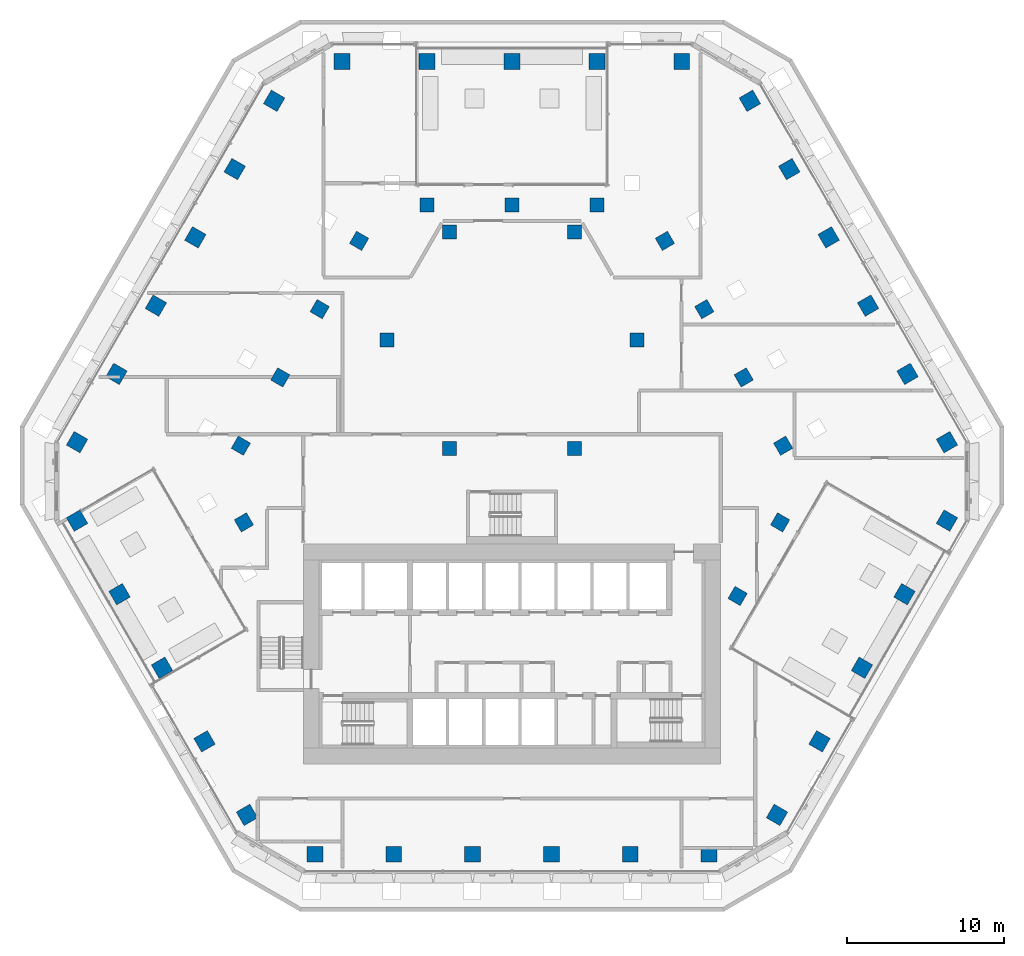
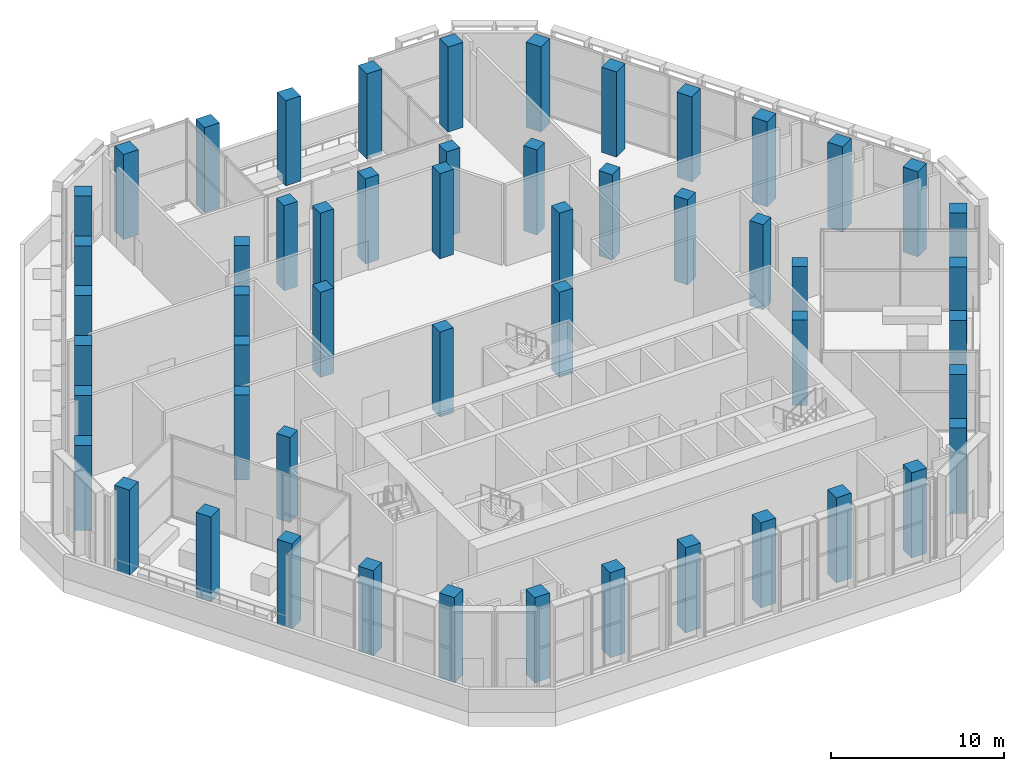
# One storey, part 1 of 23: 53 columns.
"""IFC4 building model written with IfcOpenShell, lengths in metres."""

from ifc_helpers import new_model, si_unit, direction, frame, origin, origin_2d, place, context, subcontext, project, spatial, rectangle, extrude, material, material_profile, profile_set, type_object, element, save


model = new_model("IFC4")

# Units and contexts
model_context = context("Model", 3, precision=1e-05, world=origin(), true_north=direction((0.0, 1.0)))
body_context = subcontext(model_context, "Body", "Model", "MODEL_VIEW")
ifc_project = project(units=[si_unit("LENGTHUNIT", "METRE"), si_unit("AREAUNIT", "SQUARE_METRE"), si_unit("VOLUMEUNIT", "CUBIC_METRE"), si_unit("PLANEANGLEUNIT", "RADIAN"), si_unit("MASSUNIT", "GRAM", prefix="KILO")], contexts=[model_context])

# Site, building, storey
site_placement = place(None, origin())
site = spatial("IfcSite", under=ifc_project, at=site_placement, CompositionType="ELEMENT")
building_placement = place(site_placement, origin())
building = spatial("IfcBuilding", under=site, at=building_placement, Name="Beryl Residences", CompositionType="ELEMENT")
storey_placement = place(building_placement, frame((0.0, 0.0, 66.0)))
storey = spatial("IfcBuildingStorey", under=building, at=storey_placement, Name="L20", CompositionType="ELEMENT", Elevation=66.0)

# Columns
ifc_material_1 = material(Name="Concrete C70/85", Category="concrete")
ifc_material_profile_1 = material_profile(ifc_material_1, rectangle(XDim=1.0, YDim=1.0, at=origin_2d()))
ifc_profile_set_1 = profile_set([ifc_material_profile_1], Name="Concrete C70/85")
column_type_1 = type_object("IfcColumnType", Name="C2 tube column 1000 x 1000 C70/85", PredefinedType="COLUMN", material=ifc_profile_set_1)
for number, where, z_axis, x_axis, name in (
    (1, (10.824951171875, 25.75, 0.0), (0.0, 0.0, 1.0), (-1.0, 0.0, 0.0), "C2-N1 L20"),
    (2, (5.412109375, 25.75, 0.0), (0.0, 0.0, 1.0), (-1.0, 0.0, 0.0), "C2-N2 L20"),
    (3, (-0.0009765625, 25.75, 0.0), (0.0, 0.0, 1.0), (-1.0, 0.0, 0.0), "C2-N3 L20"),
    (4, (-5.4140625, 25.75, 0.0), (0.0, 0.0, 1.0), (-1.0, 0.0, 0.0), "C2-N4 L20"),
    (5, (-10.826904296875, 25.75, 0.0), (0.0, 0.0, 1.0), (-1.0, 0.0, 0.0), "C2-N5 L20"),
    (6, (-15.155029296875, 23.2509765625, 0.0), (0.0, 0.0, 1.0), (-0.5, -0.866025403784, 0.0), "C2-NW1 L20"),
    (7, (-17.6669921875, 18.89990234375, 0.0), (0.0, 0.0, 1.0), (-0.5, -0.866025403784, 0.0), "C2-NW2 L20"),
    (8, (-20.177978515625, 14.550048828125, 0.0), (0.0, 0.0, 1.0), (-0.5, -0.866025403784, 0.0), "C2-NW3 L20"),
    (9, (-22.68994140625, 10.199951171875, 0.0), (0.0, 0.0, 1.0), (-0.5, -0.866025403784, 0.0), "C2-NW4 L20"),
    (10, (-25.201904296875, 5.85009765625, 0.0), (0.0, 0.0, 1.0), (-0.5, -0.866025403784, 0.0), "C2-NW5 L20"),
    (11, (-27.712890625, 1.5, 0.0), (0.0, 0.0, 1.0), (-0.5, -0.866025403784, 0.0), "C2-NW6 L20"),
    (12, (-27.714111328125, -3.4990234375, 0.0), (0.0, 0.0, 1.0), (0.5, -0.866025403784, 0.0), "C2-SW1 L20"),
    (13, (-25.007080078125, -8.18701171875, 0.0), (0.0, 0.0, 1.0), (0.5, -0.866025403784, 0.0), "C2-SW2 L20"),
    (14, (-22.300048828125, -12.875, 0.0), (0.0, 0.0, 1.0), (0.5, -0.866025403784, 0.0), "C2-SW3 L20"),
    (15, (-19.593994140625, -17.56298828125, 0.0), (0.0, 0.0, 1.0), (0.5, -0.866025403784, 0.0), "C2-SW4 L20"),
    (16, (-16.886962890625, -22.2509765625, 0.0), (0.0, 0.0, 1.0), (0.5, -0.866025403784, 0.0), "C2-SW5 L20"),
    (17, (-12.556884765625, -24.75, 0.0), (0.0, 0.0, 1.0), (1.0, 0.0, 0.0), "C2-S1 L20"),
    (18, (-7.533935546875, -24.75, 0.0), (0.0, 0.0, 1.0), (1.0, 0.0, 0.0), "C2-S2 L20"),
    (19, (-2.510986328125, -24.75, 0.0), (0.0, 0.0, 1.0), (1.0, 0.0, 0.0), "C2-S3 L20"),
    (20, (2.511962890625, -24.75, 0.0), (0.0, 0.0, 1.0), (1.0, 0.0, 0.0), "C2-S4 L20"),
    (21, (7.534912109375, -24.75, 0.0), (0.0, 0.0, 1.0), (1.0, 0.0, 0.0), "C2-S5 L20"),
    (22, (12.55810546875, -24.75, 0.0), (0.0, 0.0, 1.0), (1.0, 0.0, 0.0), "C2-S6 L20"),
    (23, (16.886962890625, -22.2509765625, 0.0), (0.0, 0.0, 1.0), (0.5, 0.866025403784, 0.0), "C2-SE1 L20"),
    (24, (19.593994140625, -17.56298828125, 0.0), (0.0, 0.0, 1.0), (0.5, 0.866025403784, 0.0), "C2-SE2 L20"),
    (25, (22.300048828125, -12.875, 0.0), (0.0, 0.0, 1.0), (0.5, 0.866025403784, 0.0), "C2-SE3 L20"),
    (26, (25.007080078125, -8.18701171875, 0.0), (0.0, 0.0, 1.0), (0.5, 0.866025403784, 0.0), "C2-SE4 L20"),
    (27, (27.714111328125, -3.4990234375, 0.0), (0.0, 0.0, 1.0), (0.5, 0.866025403784, 0.0), "C2-SE5 L20"),
    (28, (27.714111328125, 1.4990234375, 0.0), (0.0, 0.0, 1.0), (-0.5, 0.866025403784, 0.0), "C2-NE1 L20"),
    (29, (25.201904296875, 5.85009765625, 0.0), (0.0, 0.0, 1.0), (-0.5, 0.866025403784, 0.0), "C2-NE2 L20"),
    (30, (22.68994140625, 10.199951171875, 0.0), (0.0, 0.0, 1.0), (-0.5, 0.866025403784, 0.0), "C2-NE3 L20"),
    (31, (20.178955078125, 14.550048828125, 0.0), (0.0, 0.0, 1.0), (-0.5, 0.866025403784, 0.0), "C2-NE4 L20"),
    (32, (17.6669921875, 18.89990234375, 0.0), (0.0, 0.0, 1.0), (-0.5, 0.866025403784, 0.0), "C2-NE5 L20"),
    (33, (15.156005859375, 23.25, 0.0), (0.0, 0.0, 1.0), (-0.5, 0.866025403784, 0.0), "C2-NE6 L20"),
):
    element("IfcColumn", number, at=place(storey_placement, frame(where, z_axis=z_axis, x_axis=x_axis)), inside=storey, type_object=column_type_1, Name=name, PredefinedType="COLUMN", context=body_context, shape_type="SweptSolid", body=[
        extrude(rectangle(XDim=1.0, YDim=1.0, at=origin_2d()), origin(), (0.0, 0.0, 1.0), 6.0),
    ])
ifc_material_2 = material(Name="Concrete C70/85", Category="concrete")
ifc_material_profile_2 = material_profile(ifc_material_2, rectangle(XDim=0.89990234375, YDim=0.89990234375, at=origin_2d()))
ifc_profile_set_2 = profile_set([ifc_material_profile_2], Name="Concrete C70/85")
column_type_2 = type_object("IfcColumnType", Name="IC2 interior column 900 x 900 C70/85", PredefinedType="COLUMN", material=ifc_profile_set_2)
for number, where, z_axis, x_axis, name in (
    (34, (-17.0830078125, -3.612060546875, 0.0), (0.0, 0.0, 1.0), (0.5, -0.866025403784, 0.0), "IC2-M01 L20"),
    (35, (14.3759765625, -8.300048828125, 0.0), (0.0, 0.0, 1.0), (0.5, 0.866025403784, 0.0), "IC2-M02 L20"),
    (36, (17.0830078125, -3.612060546875, 0.0), (0.0, 0.0, 1.0), (0.5, 0.866025403784, 0.0), "IC2-M03 L20"),
    (37, (17.278076171875, 1.27392578125, 0.0), (0.0, 0.0, 1.0), (-0.5, 0.866025403784, 0.0), "IC2-M04 L20"),
    (38, (3.98388671875, 1.10009765625, 0.0), (0.0, 0.0, 1.0), (1.0, 0.0, 0.0), "IC2-A05 L20"),
    (39, (14.76611328125, 5.625, 0.0), (0.0, 0.0, 1.0), (-0.5, 0.866025403784, 0.0), "IC2-M06 L20"),
    (40, (12.2548828125, 9.97509765625, 0.0), (0.0, 0.0, 1.0), (-0.5, 0.866025403784, 0.0), "IC2-M07 L20"),
    (41, (7.967041015625, 8.0, 0.0), (0.0, 0.0, 1.0), (1.0, 0.0, 0.0), "IC2-A08 L20"),
    (42, (9.742919921875, 14.324951171875, 0.0), (0.0, 0.0, 1.0), (-0.5, 0.866025403784, 0.0), "IC2-M09 L20"),
    (43, (5.412109375, 16.60009765625, 0.0), (0.0, 0.0, 1.0), (-1.0, 0.0, 0.0), "IC2-M10 L20"),
    (44, (3.98388671875, 14.89990234375, 0.0), (0.0, 0.0, 1.0), (1.0, 0.0, 0.0), "IC2-A11 L20"),
    (45, (-0.0009765625, 16.60009765625, 0.0), (0.0, 0.0, 1.0), (-1.0, 0.0, 0.0), "IC2-M12 L20"),
    (46, (-3.98388671875, 14.89990234375, 0.0), (0.0, 0.0, 1.0), (1.0, 0.0, 0.0), "IC2-A13 L20"),
    (47, (-5.4140625, 16.60009765625, 0.0), (0.0, 0.0, 1.0), (-1.0, 0.0, 0.0), "IC2-M14 L20"),
    (48, (-9.742919921875, 14.324951171875, 0.0), (0.0, 0.0, 1.0), (-0.5, -0.866025403784, 0.0), "IC2-M15 L20"),
    (49, (-7.967041015625, 8.0, 0.0), (0.0, 0.0, 1.0), (1.0, 0.0, 0.0), "IC2-A16 L20"),
    (50, (-12.25390625, 9.97509765625, 0.0), (0.0, 0.0, 1.0), (-0.5, -0.866025403784, 0.0), "IC2-M17 L20"),
    (51, (-14.76611328125, 5.625, 0.0), (0.0, 0.0, 1.0), (-0.5, -0.866025403784, 0.0), "IC2-M18 L20"),
    (52, (-3.98388671875, 1.10009765625, 0.0), (0.0, 0.0, 1.0), (1.0, 0.0, 0.0), "IC2-A19 L20"),
    (53, (-17.277099609375, 1.27490234375, 0.0), (0.0, 0.0, 1.0), (-0.5, -0.866025403784, 0.0), "IC2-M20 L20"),
):
    element("IfcColumn", number, at=place(storey_placement, frame(where, z_axis=z_axis, x_axis=x_axis)), inside=storey, type_object=column_type_2, Name=name, PredefinedType="COLUMN", context=body_context, shape_type="SweptSolid", body=[
        extrude(rectangle(XDim=0.89990234375, YDim=0.89990234375, at=origin_2d()), origin(), (0.0, 0.0, 1.0), 6.0),
    ])

save(model, "model.ifc")
